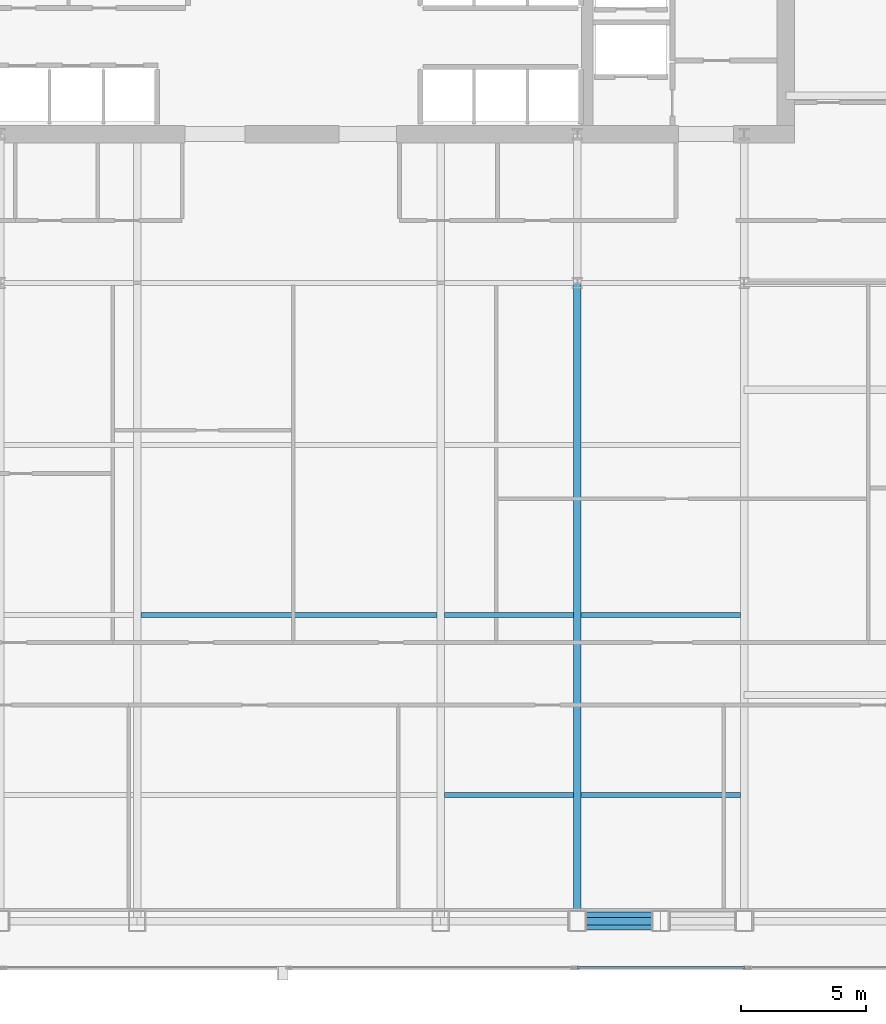
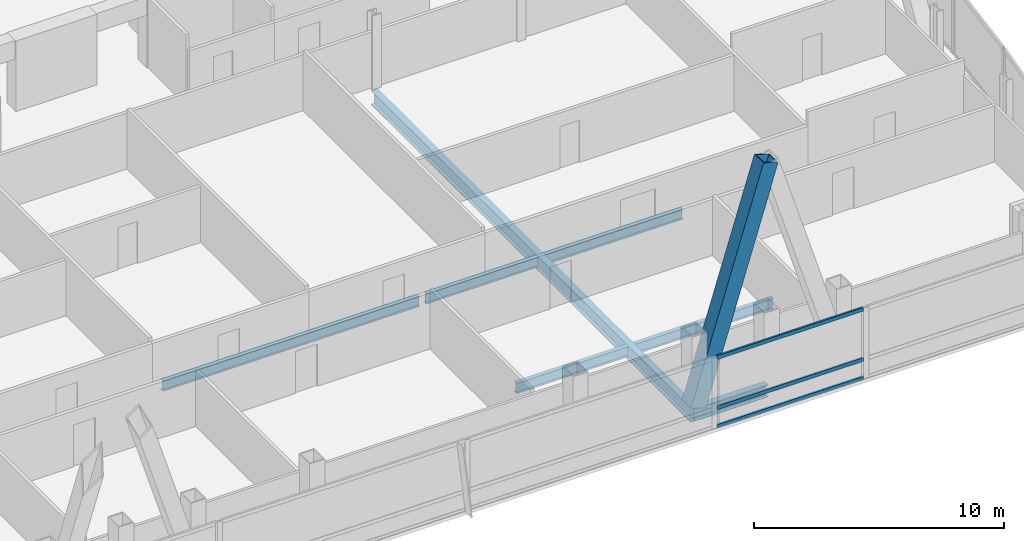
# One storey, part 14 of 30: 7 beams, 4 members, 1 element without a shape of its own.
"""IFC4 building model written with IfcOpenShell, lengths in metres."""

from ifc_helpers import new_model, si_unit, direction, frame, origin, origin_2d, place, context, subcontext, project, spatial, hollow_rectangle, i_section, extrude, material, material_profile, profile_set, type_object, element, aggregate, save


model = new_model("IFC4")

# Units and contexts
model_context = context("Model", 3, precision=1e-05, world=origin(), true_north=direction((0.0, 1.0)))
body_context = subcontext(model_context, "Body", "Model", "MODEL_VIEW")
ifc_project = project(units=[si_unit("LENGTHUNIT", "METRE"), si_unit("AREAUNIT", "SQUARE_METRE"), si_unit("VOLUMEUNIT", "CUBIC_METRE"), si_unit("PLANEANGLEUNIT", "RADIAN"), si_unit("MASSUNIT", "GRAM", prefix="KILO")], contexts=[model_context])

# Site, building, storey
site_placement = place(None, origin())
site = spatial("IfcSite", under=ifc_project, at=site_placement, CompositionType="ELEMENT")
building_placement = place(site_placement, origin())
building = spatial("IfcBuilding", under=site, at=building_placement, Name="Khoronbel Lancet Exchange", CompositionType="ELEMENT")
storey_placement = place(building_placement, frame((0.0, 0.0, 147.0)))
storey = spatial("IfcBuildingStorey", under=building, at=storey_placement, Name="L36", CompositionType="ELEMENT", Elevation=147.0)

# Beams
ifc_material_1 = material(Name="Steel S355", Category="steel")
ifc_material_profile_1 = material_profile(ifc_material_1, i_section(OverallWidth=0.300048828125, OverallDepth=0.699951171875, WebThickness=0.01708984375, FlangeThickness=0.031982421875, at=origin_2d()), Name="HEB 700")
ifc_profile_set_1 = profile_set([ifc_material_profile_1], Name="Steel S355")
beam_type_1 = type_object("IfcBeamType", Name="BM-BG3", PredefinedType="BEAM", material=ifc_profile_set_1)
beam_1_placement = place(storey_placement, frame((48.0, 10.14990234375, -0.510009765625), z_axis=(0.0, 1.0, 0.0), x_axis=(-1.0, 0.0, 0.0)))
element("IfcBeam", 1, at=beam_1_placement, inside=storey, type_object=beam_type_1, Name="Level L36 south primary girder GS5", PredefinedType="BEAM", context=body_context, shape_type="SweptSolid", body=[
    extrude(i_section(OverallWidth=0.300048828125, OverallDepth=0.699951171875, WebThickness=0.01708984375, FlangeThickness=0.031982421875, at=origin_2d()), origin(), (0.0, 0.0, 1.0), 25.550048828125),
])
ifc_material_profile_2 = material_profile(ifc_material_1, i_section(OverallWidth=0.199951171875, OverallDepth=0.5, WebThickness=0.01025390625, FlangeThickness=0.01611328125, at=origin_2d()), Name="IPE 500")
ifc_profile_set_2 = profile_set([ifc_material_profile_2], Name="Steel S355")
beam_type_2 = type_object("IfcBeamType", Name="BM-BJ3", PredefinedType="JOIST", material=ifc_profile_set_2)
beam_2_placement = place(storey_placement, frame((42.675048828125, 15.199951171875, -0.409912109375), z_axis=(1.0, 0.0, 0.0), x_axis=(0.0, 1.0, 0.0)))
element("IfcBeam", 2, at=beam_2_placement, inside=storey, type_object=beam_type_2, Name="Level L36 secondary composite joist J04", PredefinedType="JOIST", context=body_context, shape_type="SweptSolid", body=[
    extrude(i_section(OverallWidth=0.199951171875, OverallDepth=0.5, WebThickness=0.01025390625, FlangeThickness=0.01611328125, at=origin_2d()), origin(), (0.0, 0.0, 1.0), 5.175048828125),
])
beam_3_placement = place(storey_placement, frame((48.14990234375, 15.199951171875, -0.409912109375), z_axis=(1.0, 0.0, 0.0), x_axis=(0.0, 1.0, 0.0)))
element("IfcBeam", 3, at=beam_3_placement, inside=storey, type_object=beam_type_2, Name="Level L36 secondary composite joist J05", PredefinedType="JOIST", context=body_context, shape_type="SweptSolid", body=[
    extrude(i_section(OverallWidth=0.199951171875, OverallDepth=0.5, WebThickness=0.01025390625, FlangeThickness=0.01611328125, at=origin_2d()), origin(), (0.0, 0.0, 1.0), 6.375),
])
beam_4_placement = place(storey_placement, frame((30.52490234375, 22.39990234375, -0.409912109375), z_axis=(1.0, 0.0, 0.0), x_axis=(0.0, 1.0, 0.0)))
element("IfcBeam", 4, at=beam_4_placement, inside=storey, type_object=beam_type_2, Name="Level L36 secondary composite joist J08", PredefinedType="JOIST", context=body_context, shape_type="SweptSolid", body=[
    extrude(i_section(OverallWidth=0.199951171875, OverallDepth=0.5, WebThickness=0.01025390625, FlangeThickness=0.01611328125, at=origin_2d()), origin(), (0.0, 0.0, 1.0), 11.85009765625),
])
beam_5_placement = place(storey_placement, frame((42.675048828125, 22.39990234375, -0.409912109375), z_axis=(1.0, 0.0, 0.0), x_axis=(0.0, 1.0, 0.0)))
element("IfcBeam", 5, at=beam_5_placement, inside=storey, type_object=beam_type_2, Name="Level L36 secondary composite joist J09", PredefinedType="JOIST", context=body_context, shape_type="SweptSolid", body=[
    extrude(i_section(OverallWidth=0.199951171875, OverallDepth=0.5, WebThickness=0.01025390625, FlangeThickness=0.01611328125, at=origin_2d()), origin(), (0.0, 0.0, 1.0), 5.175048828125),
])
beam_6_placement = place(storey_placement, frame((48.14990234375, 22.39990234375, -0.409912109375), z_axis=(1.0, 0.0, 0.0), x_axis=(0.0, 1.0, 0.0)))
element("IfcBeam", 6, at=beam_6_placement, inside=storey, type_object=beam_type_2, Name="Level L36 secondary composite joist J10", PredefinedType="JOIST", context=body_context, shape_type="SweptSolid", body=[
    extrude(i_section(OverallWidth=0.199951171875, OverallDepth=0.5, WebThickness=0.01025390625, FlangeThickness=0.01611328125, at=origin_2d()), origin(), (0.0, 0.0, 1.0), 6.375),
])
ifc_material_profile_3 = material_profile(ifc_material_1, i_section(OverallWidth=0.300048828125, OverallDepth=0.60009765625, WebThickness=0.015380859375, FlangeThickness=0.030029296875, at=origin_2d()), Name="HEB 600")
ifc_profile_set_3 = profile_set([ifc_material_profile_3], Name="Steel S355")
beam_type_3 = type_object("IfcBeamType", Name="BM-BSP2", PredefinedType="SPANDREL", material=ifc_profile_set_3)
beam_7_placement = place(storey_placement, frame((48.0, 10.14990234375, -0.4599609375), z_axis=(1.0, 0.0, 0.0), x_axis=(0.0, 1.0, 0.0)))
element("IfcBeam", 7, at=beam_7_placement, inside=storey, type_object=beam_type_3, Name="Level L36 perimeter spandrel beam SP07", PredefinedType="SPANDREL", context=body_context, shape_type="SweptSolid", body=[
    extrude(i_section(OverallWidth=0.300048828125, OverallDepth=0.60009765625, WebThickness=0.015380859375, FlangeThickness=0.030029296875, at=origin_2d()), origin(), (0.0, 0.0, 1.0), 3.33740234375),
])

# Curtain wall, members
ifc_material_2 = material(Name="Low-E Solar Control Insulating Glass", Category="glass")
curtain_wall_type = type_object("IfcCurtainWallType", Name="CW-3", PredefinedType="NOTDEFINED", material=ifc_material_2)
curtain_wall_placement = place(storey_placement, origin())
curtain_wall = element("IfcCurtainWall", 8, at=curtain_wall_placement, inside=storey, type_object=curtain_wall_type, Name="Unitised curtain wall CW-L36-SEB", PredefinedType="NOTDEFINED")
ifc_material_3 = material(Name="Bronze-Anodised Aluminium 6063-T6", Category="aluminium")
ifc_material_profile_4 = material_profile(ifc_material_3, hollow_rectangle(XDim=0.0849609375, YDim=0.179931640625, WallThickness=0.0048828125, at=origin_2d()), Name="ALU TRANSOM 85x180")
ifc_profile_set_4 = profile_set([ifc_material_profile_4], Name="Bronze-Anodised Aluminium 6063-T6")
member_type_1 = type_object("IfcMemberType", Name="MEM-CWT1", PredefinedType="USERDEFINED", material=ifc_profile_set_4)
member_1_placement = place(storey_placement, frame((47.985107421875, 8.2900390625, 0.04248046875), z_axis=(1.0, 0.0, 0.0), x_axis=(0.0, 1.0, 0.0)))
member_1 = element("IfcMember", 9, at=member_1_placement, type_object=member_type_1, Name="CW3 transom 1.1", ObjectType="TRANSOM", PredefinedType="USERDEFINED", context=body_context, shape_type="SweptSolid", body=[
    extrude(hollow_rectangle(XDim=0.0849609375, YDim=0.179931640625, WallThickness=0.0048828125, at=origin_2d()), origin(), (0.0, 0.0, 1.0), 6.72998046875),
])
member_2_placement = place(storey_placement, frame((47.985107421875, 8.2900390625, 0.949951171875), z_axis=(1.0, 0.0, 0.0), x_axis=(0.0, 1.0, 0.0)))
member_2 = element("IfcMember", 10, at=member_2_placement, type_object=member_type_1, Name="CW3 transom 1.2", ObjectType="TRANSOM", PredefinedType="USERDEFINED", context=body_context, shape_type="SweptSolid", body=[
    extrude(hollow_rectangle(XDim=0.0849609375, YDim=0.179931640625, WallThickness=0.0048828125, at=origin_2d()), origin(), (0.0, 0.0, 1.0), 6.72998046875),
])
member_3_placement = place(storey_placement, frame((47.985107421875, 8.2900390625, 3.3974609375), z_axis=(1.0, 0.0, 0.0), x_axis=(0.0, 1.0, 0.0)))
member_3 = element("IfcMember", 11, at=member_3_placement, type_object=member_type_1, Name="CW3 transom 1.3", ObjectType="TRANSOM", PredefinedType="USERDEFINED", context=body_context, shape_type="SweptSolid", body=[
    extrude(hollow_rectangle(XDim=0.0849609375, YDim=0.179931640625, WallThickness=0.0048828125, at=origin_2d()), origin(), (0.0, 0.0, 1.0), 6.72998046875),
])
aggregate(curtain_wall, [member_1, member_2, member_3])

# Member
ifc_material_4 = material(Name="Steel S460", Category="steel")
ifc_material_profile_5 = material_profile(ifc_material_4, hollow_rectangle(XDim=0.719970703125, YDim=0.719970703125, WallThickness=0.050048828125, at=origin_2d()), Name="BOX 720x720x50")
ifc_profile_set_5 = profile_set([ifc_material_profile_5], Name="Steel S460")
member_type_2 = type_object("IfcMemberType", Name="MEM-MB2", PredefinedType="BRACE", material=ifc_profile_set_5)
member_4_placement = place(storey_placement, frame((48.0, 10.14990234375, 0.0), z_axis=(0.295242108906, 0.0, 0.955422470496), x_axis=(0.0, 1.0, 0.0)))
element("IfcMember", 12, at=member_4_placement, inside=storey, type_object=member_type_2, Name="Perimeter lancet brace tier 12 S-E-L", PredefinedType="BRACE", context=body_context, shape_type="SweptSolid", body=[
    extrude(hollow_rectangle(XDim=0.719970703125, YDim=0.719970703125, WallThickness=0.050048828125, at=origin_2d()), origin(), (0.0, 0.0, 1.0), 11.303955078125),
])

save(model, "model.ifc")
